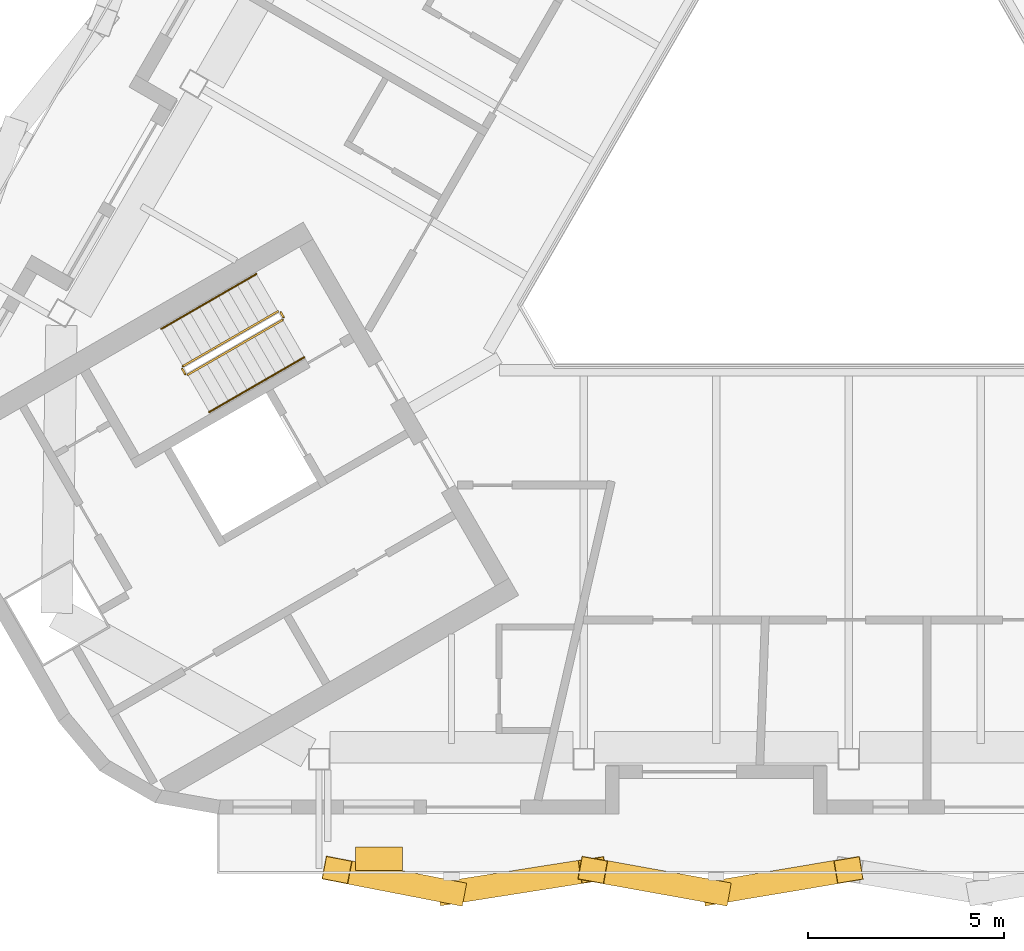
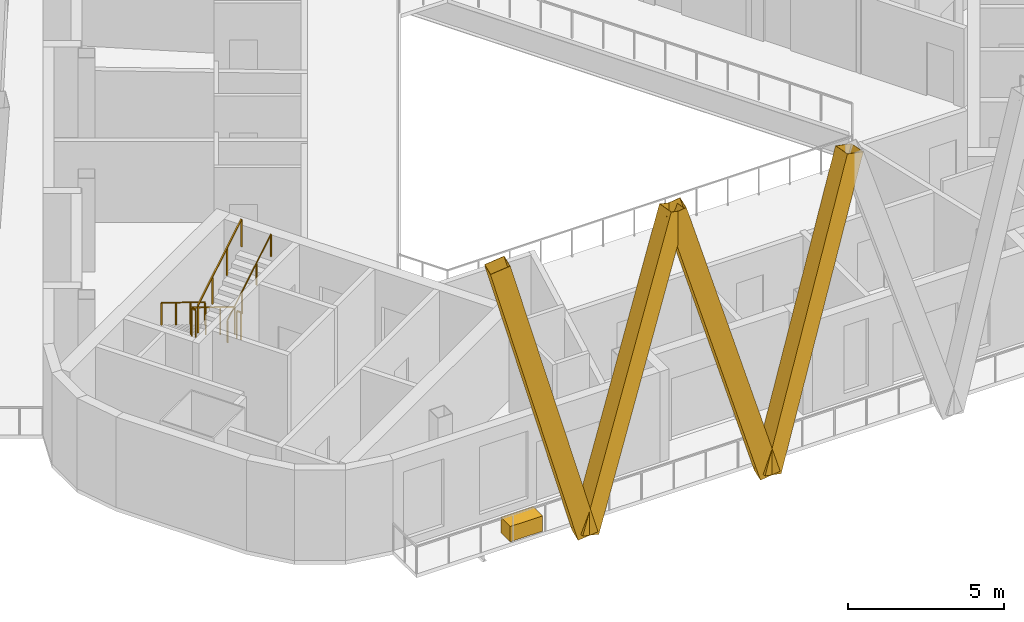
# One storey, part 9 of 12: 6 railings, 4 shading devices, 1 covering.
"""IFC4 building model written with IfcOpenShell, lengths in metres."""

import ifcopenshell
import ifcopenshell.guid

model = None  # the IFC model being written
_history = None  # IfcOwnerHistory: only IFC2X3 demands one
_inside = {}  # id of a spatial element -> (the spatial element, [elements in it])
_under = {}  # id of a project, library or spatial element -> (it, [spatial elements below it])
_declared = {}  # id of a project -> (the project, [libraries it declares])
_typed = {}  # id of a type object -> (the type object, [elements of that type])
_made_of = {}  # id of a material, layer set ... -> (it, [elements and type objects made of it])


def new_model(schema):
    """Start an empty IFC model of exactly this schema.

    Asked for "IFC4X3", IfcOpenShell would pick the latest addendum, in which some entities
    have other attributes; the version numbers below select the first issue.
    IFC2X3 requires an IfcOwnerHistory on every rooted entity: one is made here for all.
    """
    global model, _history
    if schema == "IFC4X3":
        model = ifcopenshell.file(schema_version=(4, 3, 0, 0))
    else:
        model = ifcopenshell.file(schema=schema)
    _inside.clear()
    _under.clear()
    _declared.clear()
    _typed.clear()
    _made_of.clear()
    _history = None
    if model.schema == "IFC2X3":
        org = make("IfcOrganization", Name="unknown")
        user = make(
            "IfcPersonAndOrganization",
            ThePerson=make("IfcPerson", FamilyName="unknown"),
            TheOrganization=org,
        )
        app = make(
            "IfcApplication",
            ApplicationDeveloper=org,
            Version="unknown",
            ApplicationFullName="unknown",
            ApplicationIdentifier="unknown",
        )
        _history = make(
            "IfcOwnerHistory",
            OwningUser=user,
            OwningApplication=app,
            ChangeAction="ADDED",
            CreationDate=0,
        )
    return model


def make(cls, **values):
    """One entity of the class cls with the attributes given. An attribute that is None is left unset."""
    return model.create_entity(
        cls, **{name: value for name, value in values.items() if value is not None}
    )


def rooted(cls, **values):
    """An entity with a GlobalId (a new one), such as an element, a storey or a relation."""
    return make(cls, GlobalId=ifcopenshell.guid.new(), OwnerHistory=_history, **values)


def si_unit(unit_type, name, prefix=None):
    """IfcSIUnit, for example si_unit("LENGTHUNIT", "METRE", prefix="MILLI")."""
    return make("IfcSIUnit", UnitType=unit_type, Prefix=prefix, Name=name)


def assignment(units):
    """IfcUnitAssignment: the units of a project."""
    return None if units is None else make("IfcUnitAssignment", Units=units)


def point(xyz):
    """IfcCartesianPoint."""
    return None if xyz is None else make("IfcCartesianPoint", Coordinates=xyz)


def direction(xyz):
    """IfcDirection."""
    return None if xyz is None else make("IfcDirection", DirectionRatios=xyz)


def frame(location, z_axis=None, x_axis=None):
    """IfcAxis2Placement3D, a coordinate frame: its origin and axes. An axis left out is left unset."""
    return make(
        "IfcAxis2Placement3D",
        Location=point(location),
        Axis=direction(z_axis),
        RefDirection=direction(x_axis),
    )


def frame_2d(location, x_axis=None):
    """IfcAxis2Placement2D, a coordinate frame in the plane: its origin and x axis."""
    return make(
        "IfcAxis2Placement2D", Location=point(location), RefDirection=direction(x_axis)
    )


def origin():
    """The frame at (0, 0, 0) with its axes left unset."""
    return frame((0.0, 0.0, 0.0))


def origin_2d():
    """The frame at (0, 0) in the plane with its x axis left unset."""
    return frame_2d((0.0, 0.0))


def place(relative_to, where):
    """IfcLocalPlacement: puts the frame where relative to a parent placement (None: the world)."""
    return make(
        "IfcLocalPlacement", PlacementRelTo=relative_to, RelativePlacement=where
    )


def context(
    kind, dimensions, precision=None, world=None, true_north=None, identifier=None
):
    """IfcGeometricRepresentationContext, for example the 3D "Model" context."""
    return make(
        "IfcGeometricRepresentationContext",
        ContextIdentifier=identifier,
        ContextType=kind,
        CoordinateSpaceDimension=dimensions,
        Precision=precision,
        WorldCoordinateSystem=world,
        TrueNorth=true_north,
    )


def subcontext(parent, identifier, kind, view, scale=None):
    """IfcGeometricRepresentationSubContext, for example "Body" below "Model"."""
    return make(
        "IfcGeometricRepresentationSubContext",
        ContextIdentifier=identifier,
        ContextType=kind,
        ParentContext=parent,
        TargetScale=scale,
        TargetView=view,
    )


def project(units=None, contexts=None):
    """IfcProject with its units and contexts."""
    return rooted(
        "IfcProject",
        Name="project",
        RepresentationContexts=contexts,
        UnitsInContext=assignment(units),
    )


def spatial(cls, under=None, at=None, **own):
    """A site, building, storey or space (cls), placed at a placement, below another one or the project."""
    s = rooted(cls, ObjectPlacement=at, **own)
    if under is not None:
        _under.setdefault(under.id(), (under, []))[1].append(s)
    return s


def profile(cls, at=None, kind="AREA", **sizes):
    """A parametric profile (cls). Its sizes go by their IFC names, for example OverallWidth=200.0."""
    return make(cls, ProfileType=kind, Position=at, **sizes)


def rectangle(**sizes):
    """IfcRectangleProfileDef."""
    return profile("IfcRectangleProfileDef", **sizes)


def hollow_rectangle(**sizes):
    """IfcRectangleHollowProfileDef."""
    return profile("IfcRectangleHollowProfileDef", **sizes)


def circle(**sizes):
    """IfcCircleProfileDef."""
    return profile("IfcCircleProfileDef", **sizes)


def extrude(swept, where, along, depth):
    """IfcExtrudedAreaSolid: the profile swept, set in the frame where, extruded along a direction by depth."""
    return make(
        "IfcExtrudedAreaSolid",
        SweptArea=swept,
        Position=where,
        ExtrudedDirection=direction(along),
        Depth=depth,
    )


def shape(context_of_items, identifier, shape_type, items):
    """IfcShapeRepresentation: the items that make up one representation, for example the "Body"."""
    return make(
        "IfcShapeRepresentation",
        ContextOfItems=context_of_items,
        RepresentationIdentifier=identifier,
        RepresentationType=shape_type,
        Items=items,
    )


def material(Name=None, Category=None):
    """IfcMaterial."""
    return make("IfcMaterial", Name=Name, Category=Category)


def material_profile(
    of_material, cross_section, Name=None, Category=None, Priority=None
):
    """IfcMaterialProfile: a cross section and its material."""
    return make(
        "IfcMaterialProfile",
        Name=Name,
        Material=of_material,
        Profile=cross_section,
        Priority=Priority,
        Category=Category,
    )


def profile_set(profiles, Name=None, composite=None):
    """IfcMaterialProfileSet."""
    return make(
        "IfcMaterialProfileSet",
        Name=Name,
        MaterialProfiles=profiles,
        CompositeProfile=composite,
    )


def made_of(thing, what):
    """Note that an element or type object is made of a material, layer set ...; save() writes the relation."""
    if what is not None:
        _made_of.setdefault(what.id(), (what, []))[1].append(thing)
    return thing


def type_object(cls, material=None, **own):
    """A type object (cls), such as IfcWallType, which elements share."""
    return made_of(rooted(cls, **own), material)


def element(
    cls,
    number,
    at=None,
    inside=None,
    cuts=None,
    type_object=None,
    material=None,
    context=None,
    identifier="Body",
    shape_type=None,
    held_by="IfcProductDefinitionShape",
    body=None,
    shapes=None,
    **own,
):
    """One element of the class cls, such as IfcWall. Its Tag is "e" and its number.

    at: its placement. inside: the storey or other place that contains it. cuts: it is an
    opening in that element (IfcRelVoidsElement). A single representation is given by context,
    identifier, shape_type and body (its items); several are given by shapes. held_by: the class
    of the entity that holds the representations. save() writes the other relations.
    """
    e = rooted(cls, Tag="e%d" % number, ObjectPlacement=at, **own)
    if body is not None:
        shapes = [shape(context, identifier, shape_type, body)]
    if shapes is not None:
        e.Representation = make(held_by, Representations=shapes)
    if inside is not None:
        _inside.setdefault(inside.id(), (inside, []))[1].append(e)
    if cuts is not None:
        rooted(
            "IfcRelVoidsElement", RelatingBuildingElement=cuts, RelatedOpeningElement=e
        )
    if type_object is not None:
        _typed.setdefault(type_object.id(), (type_object, []))[1].append(e)
    return made_of(e, material)


def aggregate(whole, parts):
    """IfcRelAggregates: a whole, such as a stair, and the parts it consists of."""
    return rooted("IfcRelAggregates", RelatingObject=whole, RelatedObjects=parts)


def save(model, path):
    """Write the relations noted so far, then the file.

    IfcRelAggregates (storeys below a building ...), IfcRelContainedInSpatialStructure (elements
    in a storey), IfcRelDefinesByType, IfcRelAssociatesMaterial and IfcRelDeclares: one each for
    every whole, place, type object, material and project.
    """
    for whole, parts in _under.values():
        aggregate(whole, parts)
    for where, things in _inside.values():
        rooted(
            "IfcRelContainedInSpatialStructure",
            RelatedElements=things,
            RelatingStructure=where,
        )
    for kind, things in _typed.values():
        rooted("IfcRelDefinesByType", RelatedObjects=things, RelatingType=kind)
    for what, things in _made_of.values():
        rooted("IfcRelAssociatesMaterial", RelatedObjects=things, RelatingMaterial=what)
    for by, libraries in _declared.values():
        rooted("IfcRelDeclares", RelatingContext=by, RelatedDefinitions=libraries)
    model.write(path)


model = new_model("IFC4")

# Units and contexts
model_context = context("Model", 3, precision=1e-05, world=origin(), true_north=direction((0.0, 1.0)))
body_context = subcontext(model_context, "Body", "Model", "MODEL_VIEW")
ifc_project = project(units=[si_unit("LENGTHUNIT", "METRE"), si_unit("AREAUNIT", "SQUARE_METRE"), si_unit("VOLUMEUNIT", "CUBIC_METRE"), si_unit("PLANEANGLEUNIT", "RADIAN"), si_unit("MASSUNIT", "GRAM", prefix="KILO")], contexts=[model_context])

# Site, building, storey
site_placement = place(None, origin())
site = spatial("IfcSite", under=ifc_project, at=site_placement, CompositionType="ELEMENT")
building_placement = place(site_placement, origin())
building = spatial("IfcBuilding", under=site, at=building_placement, Name="Apuvela Tower Hotel", CompositionType="ELEMENT")
storey_placement = place(building_placement, frame((0.0, 0.0, 302.199951171875)))
storey = spatial("IfcBuildingStorey", under=building, at=storey_placement, Name="L75", CompositionType="ELEMENT", Elevation=302.199951171875)

# Railings
ifc_material_1 = material(Name="Steel S275 balustrade", Category="steel")
railing_type_1 = type_object("IfcRailingType", Name="COR-GUARD-1100", PredefinedType="GUARDRAIL", material=ifc_material_1)
railing_1_placement = place(storey_placement, frame((-14.569091796875, -3.9658203125, 0.168212890625)))
element("IfcRailing", 1, at=railing_1_placement, inside=storey, type_object=railing_type_1, Name="L75 ST2 stair guard 1", PredefinedType="GUARDRAIL", context=body_context, shape_type="SweptSolid", body=[
    extrude(rectangle(XDim=0.048095703125, YDim=0.048095703125, at=origin_2d()), frame((0.0, 0.0, 1.076171875), z_axis=(-0.742390482028, -0.42860119049, 0.514934356695), x_axis=(0.49998411664, -0.866034573852, 0.0)), (0.0, 0.0, 1.0), 3.26611328125),
    extrude(rectangle(XDim=0.0419921875, YDim=0.0419921875, at=origin_2d()), origin(), (0.0, 0.0, 1.0), 1.052001953125),
    extrude(rectangle(XDim=0.0419921875, YDim=0.0419921875, at=origin_2d()), frame((-0.808349609375, -0.466552734375, 0.560546875)), (0.0, 0.0, 1.0), 1.052001953125),
    extrude(rectangle(XDim=0.0419921875, YDim=0.0419921875, at=origin_2d()), frame((-1.616455078125, -0.933349609375, 1.121337890625)), (0.0, 0.0, 1.0), 1.052001953125),
    extrude(rectangle(XDim=0.0419921875, YDim=0.0419921875, at=origin_2d()), frame((-2.4248046875, -1.39990234375, 1.681884765625)), (0.0, 0.0, 1.0), 1.052001953125),
])
railing_2_placement = place(storey_placement, frame((-17.01220703125, -5.43408203125, 1.85009765625)))
element("IfcRailing", 2, at=railing_2_placement, inside=storey, type_object=railing_type_1, Name="L75 ST2 stair guard 2", PredefinedType="GUARDRAIL", context=body_context, shape_type="SweptSolid", body=[
    extrude(rectangle(XDim=0.048095703125, YDim=0.048095703125, at=origin_2d()), frame((0.0, 0.0, 1.076171875), z_axis=(0.499816412211, -0.866131372301, 0.0), x_axis=(0.866131372301, 0.499816412211, 0.0)), (0.0, 0.0, 1.0), 0.14990234375),
    extrude(rectangle(XDim=0.0419921875, YDim=0.0419921875, at=origin_2d()), origin(), (0.0, 0.0, 1.0), 1.052001953125),
    extrude(rectangle(XDim=0.0419921875, YDim=0.0419921875, at=origin_2d()), frame((0.074951171875, -0.1298828125, 0.0)), (0.0, 0.0, 1.0), 1.052001953125),
])
railing_3_placement = place(storey_placement, frame((-16.868896484375, -5.582275390625, 2.018310546875)))
element("IfcRailing", 3, at=railing_3_placement, inside=storey, type_object=railing_type_1, Name="L75 ST2 stair guard 3", PredefinedType="GUARDRAIL", context=body_context, shape_type="SweptSolid", body=[
    extrude(rectangle(XDim=0.048095703125, YDim=0.048095703125, at=origin_2d()), frame((0.0, 0.0, 1.076171875), z_axis=(0.74241905619, 0.428617687091, 0.514879426), x_axis=(-0.49998411664, 0.866034573852, 0.0)), (0.0, 0.0, 1.0), 3.26611328125),
    extrude(rectangle(XDim=0.0419921875, YDim=0.0419921875, at=origin_2d()), origin(), (0.0, 0.0, 1.0), 1.052001953125),
    extrude(rectangle(XDim=0.0419921875, YDim=0.0419921875, at=origin_2d()), frame((0.808349609375, 0.466552734375, 0.560546875)), (0.0, 0.0, 1.0), 1.052001953125),
    extrude(rectangle(XDim=0.0419921875, YDim=0.0419921875, at=origin_2d()), frame((1.616455078125, 0.933349609375, 1.12109375)), (0.0, 0.0, 1.0), 1.052001953125),
    extrude(rectangle(XDim=0.0419921875, YDim=0.0419921875, at=origin_2d()), frame((2.4248046875, 1.39990234375, 1.681640625)), (0.0, 0.0, 1.0), 1.052001953125),
])
railing_4_placement = place(storey_placement, frame((-14.500732421875, -3.984130859375, 0.0)))
element("IfcRailing", 4, at=railing_4_placement, inside=storey, type_object=railing_type_1, Name="L75 ST2 stair guard 4", PredefinedType="GUARDRAIL", context=body_context, shape_type="SweptSolid", body=[
    extrude(rectangle(XDim=0.048095703125, YDim=0.048095703125, at=origin_2d()), frame((0.0, 0.0, 1.076171875), z_axis=(0.499816412211, -0.866131372301, 0.0), x_axis=(0.866131372301, 0.499816412211, 0.0)), (0.0, 0.0, 1.0), 0.14990234375),
    extrude(rectangle(XDim=0.0419921875, YDim=0.0419921875, at=origin_2d()), origin(), (0.0, 0.0, 1.0), 1.052001953125),
    extrude(rectangle(XDim=0.0419921875, YDim=0.0419921875, at=origin_2d()), frame((0.074951171875, -0.1298828125, 0.0)), (0.0, 0.0, 1.0), 1.052001953125),
])
ifc_material_2 = material(Name="Stainless steel 316 handrail", Category="steel")
railing_type_2 = type_object("IfcRailingType", Name="COR-HANDRAIL-900", PredefinedType="HANDRAIL", material=ifc_material_2)
railing_5_placement = place(storey_placement, frame((-15.118896484375, -3.01318359375, 0.168212890625)))
element("IfcRailing", 5, at=railing_5_placement, inside=storey, type_object=railing_type_2, Name="L75 ST2 stair handrail 1", PredefinedType="HANDRAIL", context=body_context, shape_type="SweptSolid", body=[
    extrude(circle(Radius=0.02392578125, at=origin_2d()), frame((0.0, 0.0, 0.8759765625), z_axis=(-0.742424030051, -0.428577407461, 0.514905783049), x_axis=(0.49994636267, -0.866056369097, 0.0)), (0.0, 0.0, 1.0), 3.266357421875),
    extrude(rectangle(XDim=0.0419921875, YDim=0.0419921875, at=origin_2d()), origin(), (0.0, 0.0, 1.0), 0.851806640625),
    extrude(rectangle(XDim=0.0419921875, YDim=0.0419921875, at=origin_2d()), frame((-0.808349609375, -0.466552734375, 0.560546875)), (0.0, 0.0, 1.0), 0.851806640625),
    extrude(rectangle(XDim=0.0419921875, YDim=0.0419921875, at=origin_2d()), frame((-1.61669921875, -0.933349609375, 1.121337890625)), (0.0, 0.0, 1.0), 0.851806640625),
    extrude(rectangle(XDim=0.0419921875, YDim=0.0419921875, at=origin_2d()), frame((-2.425048828125, -1.39990234375, 1.681884765625)), (0.0, 0.0, 1.0), 0.851806640625),
])
railing_6_placement = place(storey_placement, frame((-16.31884765625, -6.534912109375, 2.018310546875)))
element("IfcRailing", 6, at=railing_6_placement, inside=storey, type_object=railing_type_2, Name="L75 ST2 stair handrail 2", PredefinedType="HANDRAIL", context=body_context, shape_type="SweptSolid", body=[
    extrude(circle(Radius=0.02392578125, at=origin_2d()), frame((0.0, 0.0, 0.8759765625), z_axis=(0.74241905619, 0.428617687091, 0.514879426), x_axis=(-0.49998411664, 0.866034573852, 0.0)), (0.0, 0.0, 1.0), 3.26611328125),
    extrude(rectangle(XDim=0.0419921875, YDim=0.0419921875, at=origin_2d()), origin(), (0.0, 0.0, 1.0), 0.851806640625),
    extrude(rectangle(XDim=0.0419921875, YDim=0.0419921875, at=origin_2d()), frame((0.808349609375, 0.466552734375, 0.560546875)), (0.0, 0.0, 1.0), 0.851806640625),
    extrude(rectangle(XDim=0.0419921875, YDim=0.0419921875, at=origin_2d()), frame((1.616455078125, 0.933349609375, 1.12109375)), (0.0, 0.0, 1.0), 0.851806640625),
    extrude(rectangle(XDim=0.0419921875, YDim=0.0419921875, at=origin_2d()), frame((2.4248046875, 1.39990234375, 1.681640625)), (0.0, 0.0, 1.0), 0.851806640625),
])

# Shading devices
ifc_material_3 = material(Name="Aluminium 6063-T6, black anodised", Category="aluminium")
ifc_material_profile = material_profile(ifc_material_3, hollow_rectangle(XDim=0.60009765625, YDim=0.699951171875, WallThickness=0.011962890625, at=origin_2d()), Name="AL BOX 700x600x12")
ifc_profile_set = profile_set([ifc_material_profile], Name="Aluminium 6063-T6, black anodised")
shading_device_type = type_object("IfcShadingDeviceType", Name="ENV-FIN-700x600", PredefinedType="USERDEFINED", material=ifc_profile_set)
shading_device_1_placement = place(storey_placement, frame((-10.13818359375, -18.794677734375, -0.099853515625), z_axis=(-0.254352614293, 0.049349463209, 0.965851633577), x_axis=(-0.190468033427, -0.981693398288, 0.0)))
element("IfcShadingDevice", 7, at=shading_device_1_placement, inside=storey, type_object=shading_device_type, Name="Lattice fin S633", ObjectType="FIN", PredefinedType="USERDEFINED", context=body_context, shape_type="SweptSolid", body=[
    extrude(hollow_rectangle(XDim=0.60009765625, YDim=0.699951171875, WallThickness=0.011962890625, at=origin_2d()), origin(), (0.0, 0.0, 1.0), 11.4921875),
])
shading_device_2_placement = place(storey_placement, frame((-10.13818359375, -18.794677734375, -0.099853515625), z_axis=(0.308719444667, 0.048535142797, 0.949914019477), x_axis=(-0.155306806884, 0.98786628434, 0.0)))
element("IfcShadingDevice", 8, at=shading_device_2_placement, inside=storey, type_object=shading_device_type, Name="Lattice fin S634", ObjectType="FIN", PredefinedType="USERDEFINED", context=body_context, shape_type="SweptSolid", body=[
    extrude(hollow_rectangle(XDim=0.60009765625, YDim=0.699951171875, WallThickness=0.011962890625, at=origin_2d()), origin(), (0.0, 0.0, 1.0), 11.68505859375),
])
shading_device_3_placement = place(storey_placement, frame((-3.37939453125, -18.794677734375, -0.099853515625), z_axis=(-0.272787362394, 0.049092426622, 0.960820997151), x_axis=(-0.177120502638, -0.984189172642, 0.0)))
element("IfcShadingDevice", 9, at=shading_device_3_placement, inside=storey, type_object=shading_device_type, Name="Lattice fin S635", ObjectType="FIN", PredefinedType="USERDEFINED", context=body_context, shape_type="SweptSolid", body=[
    extrude(hollow_rectangle(XDim=0.60009765625, YDim=0.699951171875, WallThickness=0.011962890625, at=origin_2d()), origin(), (0.0, 0.0, 1.0), 11.552490234375),
])
shading_device_4_placement = place(storey_placement, frame((-3.37939453125, -18.794677734375, -0.099853515625), z_axis=(0.29090724775, 0.048820801656, 0.95550484171), x_axis=(-0.165508034258, 0.986208441759, 0.0)))
element("IfcShadingDevice", 10, at=shading_device_4_placement, inside=storey, type_object=shading_device_type, Name="Lattice fin S636", ObjectType="FIN", PredefinedType="USERDEFINED", context=body_context, shape_type="SweptSolid", body=[
    extrude(hollow_rectangle(XDim=0.60009765625, YDim=0.699951171875, WallThickness=0.011962890625, at=origin_2d()), origin(), (0.0, 0.0, 1.0), 11.61669921875),
])

# Covering
ifc_material_4 = material(Name="Planting substrate and soil, planted")
covering_type = type_object("IfcCoveringType", Name="ENV-PLANTER-1200x600", PredefinedType="USERDEFINED", material=ifc_material_4)
covering_placement = place(storey_placement, frame((-11.9931640625, -17.944580078125, 0.0), z_axis=(0.0, 0.0, 1.0), x_axis=(1.0, 0.0, 0.0)))
element("IfcCovering", 11, at=covering_placement, inside=storey, type_object=covering_type, Name="Planter S1", ObjectType="PLANTER", PredefinedType="USERDEFINED", context=body_context, shape_type="SweptSolid", body=[
    extrude(rectangle(XDim=1.199951171875, YDim=0.60009765625, at=origin_2d()), origin(), (0.0, 0.0, 1.0), 0.60009765625),
])

save(model, "model.ifc")
